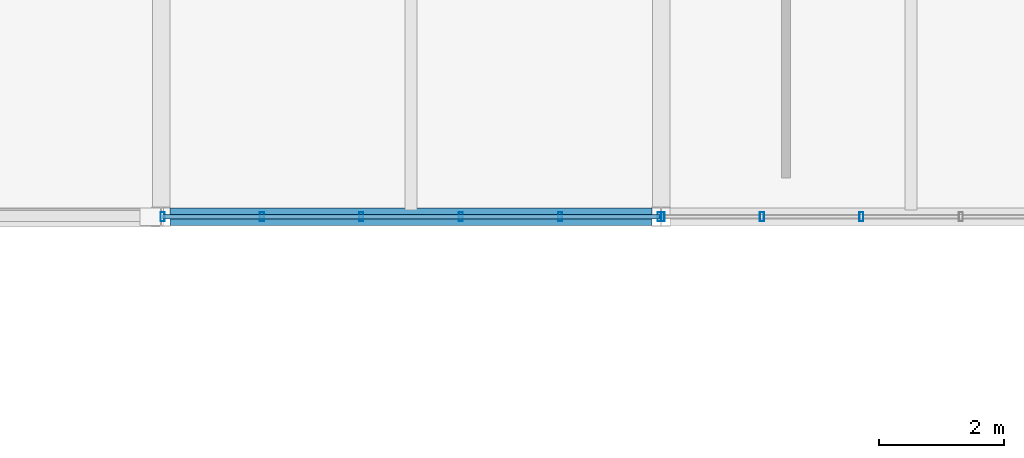
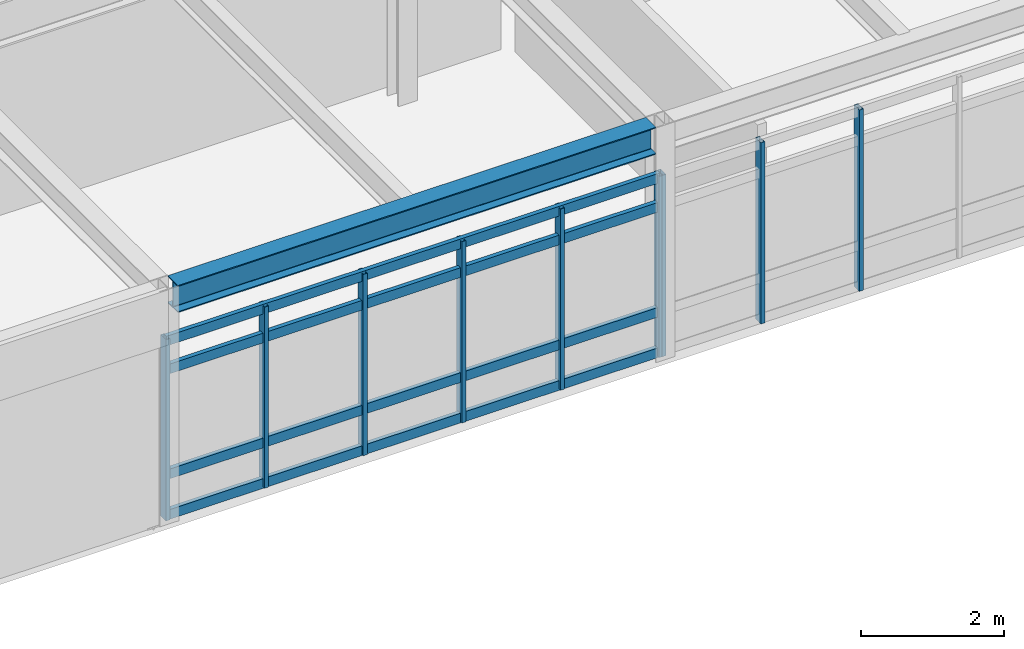
# One storey, part 21 of 45: 13 members, 1 beam, 2 elements without a shape of their own.
"""IFC4 building model written with IfcOpenShell, lengths in metres."""

from ifc_helpers import new_model, si_unit, direction, frame, origin, origin_2d, place, context, subcontext, project, spatial, hollow_rectangle, i_section, extrude, material, material_profile, profile_set, type_object, element, aggregate, save


model = new_model("IFC4")

# Units and contexts
model_context = context("Model", 3, precision=1e-05, world=origin(), true_north=direction((0.0, 1.0)))
body_context = subcontext(model_context, "Body", "Model", "MODEL_VIEW")
ifc_project = project(units=[si_unit("LENGTHUNIT", "METRE"), si_unit("AREAUNIT", "SQUARE_METRE"), si_unit("VOLUMEUNIT", "CUBIC_METRE"), si_unit("PLANEANGLEUNIT", "RADIAN"), si_unit("MASSUNIT", "GRAM", prefix="KILO")], contexts=[model_context])

# Site, building, storey
site_placement = place(None, origin())
site = spatial("IfcSite", under=ifc_project, at=site_placement, CompositionType="ELEMENT")
building_placement = place(site_placement, origin())
building = spatial("IfcBuilding", under=site, at=building_placement, Name="Zulena Civic Courthouse", CompositionType="ELEMENT")
storey_placement = place(building_placement, frame((0.0, 0.0, 29.39990234375)))
storey = spatial("IfcBuildingStorey", under=building, at=storey_placement, Name="L06", CompositionType="ELEMENT", Elevation=29.39990234375)

# Curtain wall, members
ifc_material_1 = material(Name="Double-silver low-E laminated solar-control glass", Category="glass")
curtain_wall_type = type_object("IfcCurtainWallType", Name="CW_7952x3090", PredefinedType="USERDEFINED", material=ifc_material_1)
curtain_wall_1_placement = place(storey_placement, origin())
curtain_wall_1 = element("IfcCurtainWall", 1, at=curtain_wall_1_placement, inside=storey, type_object=curtain_wall_type, Name="cw:V5:L06:5:5", ObjectType="UNITISED CURTAIN WALL", PredefinedType="USERDEFINED")
ifc_material_2 = material(Name="Bronze anodised thermally broken aluminium AA6063-T6", Category="aluminium")
ifc_material_profile_1 = material_profile(ifc_material_2, hollow_rectangle(XDim=0.06494140625, YDim=0.14990234375, WallThickness=0.00390625, at=origin_2d()), Name="CWM150X65X4")
ifc_profile_set_1 = profile_set([ifc_material_profile_1], Name="Bronze anodised thermally broken aluminium AA6063-T6")
member_type_1 = type_object("IfcMemberType", Name="CWMullion_150x65", PredefinedType="MULLION", material=ifc_profile_set_1)
member_1_placement = place(storey_placement, frame((55.204833984375, 46.0, 0.0), z_axis=(0.0, 0.0, 1.0), x_axis=(1.0, 0.0, 0.0)))
member_1 = element("IfcMember", 2, at=member_1_placement, type_object=member_type_1, Name="cw:V5:L06:5:5:mull:3", PredefinedType="MULLION", context=body_context, shape_type="SweptSolid", body=[
    extrude(hollow_rectangle(XDim=0.06494140625, YDim=0.14990234375, WallThickness=0.00390625, at=origin_2d()), origin(), (0.0, 0.0, 1.0), 3.090087890625),
])
member_2_placement = place(storey_placement, frame((53.614501953125, 46.0, 0.0), z_axis=(0.0, 0.0, 1.0), x_axis=(1.0, 0.0, 0.0)))
member_2 = element("IfcMember", 3, at=member_2_placement, type_object=member_type_1, Name="cw:V5:L06:5:5:mull:4", PredefinedType="MULLION", context=body_context, shape_type="SweptSolid", body=[
    extrude(hollow_rectangle(XDim=0.06494140625, YDim=0.14990234375, WallThickness=0.00390625, at=origin_2d()), origin(), (0.0, 0.0, 1.0), 3.090087890625),
])
member_3_placement = place(storey_placement, frame((52.02392578125, 46.0, 0.0), z_axis=(0.0, 0.0, 1.0), x_axis=(1.0, 0.0, 0.0)))
member_3 = element("IfcMember", 4, at=member_3_placement, type_object=member_type_1, Name="cw:V5:L06:5:5:mull:5", PredefinedType="MULLION", context=body_context, shape_type="SweptSolid", body=[
    extrude(hollow_rectangle(XDim=0.06494140625, YDim=0.14990234375, WallThickness=0.00390625, at=origin_2d()), origin(), (0.0, 0.0, 1.0), 3.090087890625),
])
aggregate(curtain_wall_1, [member_1, member_2, member_3])

curtain_wall_2_placement = place(storey_placement, origin())
curtain_wall_2 = element("IfcCurtainWall", 5, at=curtain_wall_2_placement, inside=storey, type_object=curtain_wall_type, Name="cw:V5:L06:5:6", ObjectType="UNITISED CURTAIN WALL", PredefinedType="USERDEFINED")
member_4_placement = place(storey_placement, frame((51.97607421875, 46.0, 0.0), z_axis=(0.0, 0.0, 1.0), x_axis=(1.0, 0.0, 0.0)))
member_4 = element("IfcMember", 6, at=member_4_placement, type_object=member_type_1, Name="cw:V5:L06:5:6:mull:0", PredefinedType="MULLION", context=body_context, shape_type="SweptSolid", body=[
    extrude(hollow_rectangle(XDim=0.06494140625, YDim=0.14990234375, WallThickness=0.00390625, at=origin_2d()), origin(), (0.0, 0.0, 1.0), 3.090087890625),
])
member_5_placement = place(storey_placement, frame((50.385498046875, 46.0, 0.0), z_axis=(0.0, 0.0, 1.0), x_axis=(1.0, 0.0, 0.0)))
member_5 = element("IfcMember", 7, at=member_5_placement, type_object=member_type_1, Name="cw:V5:L06:5:6:mull:1", PredefinedType="MULLION", context=body_context, shape_type="SweptSolid", body=[
    extrude(hollow_rectangle(XDim=0.06494140625, YDim=0.14990234375, WallThickness=0.00390625, at=origin_2d()), origin(), (0.0, 0.0, 1.0), 3.090087890625),
])
member_6_placement = place(storey_placement, frame((48.795166015625, 46.0, 0.0), z_axis=(0.0, 0.0, 1.0), x_axis=(1.0, 0.0, 0.0)))
member_6 = element("IfcMember", 8, at=member_6_placement, type_object=member_type_1, Name="cw:V5:L06:5:6:mull:2", PredefinedType="MULLION", context=body_context, shape_type="SweptSolid", body=[
    extrude(hollow_rectangle(XDim=0.06494140625, YDim=0.14990234375, WallThickness=0.00390625, at=origin_2d()), origin(), (0.0, 0.0, 1.0), 3.090087890625),
])
member_7_placement = place(storey_placement, frame((47.204833984375, 46.0, 0.0), z_axis=(0.0, 0.0, 1.0), x_axis=(1.0, 0.0, 0.0)))
member_7 = element("IfcMember", 9, at=member_7_placement, type_object=member_type_1, Name="cw:V5:L06:5:6:mull:3", PredefinedType="MULLION", context=body_context, shape_type="SweptSolid", body=[
    extrude(hollow_rectangle(XDim=0.06494140625, YDim=0.14990234375, WallThickness=0.00390625, at=origin_2d()), origin(), (0.0, 0.0, 1.0), 3.090087890625),
])
member_8_placement = place(storey_placement, frame((45.614501953125, 46.0, 0.0), z_axis=(0.0, 0.0, 1.0), x_axis=(1.0, 0.0, 0.0)))
member_8 = element("IfcMember", 10, at=member_8_placement, type_object=member_type_1, Name="cw:V5:L06:5:6:mull:4", PredefinedType="MULLION", context=body_context, shape_type="SweptSolid", body=[
    extrude(hollow_rectangle(XDim=0.06494140625, YDim=0.14990234375, WallThickness=0.00390625, at=origin_2d()), origin(), (0.0, 0.0, 1.0), 3.090087890625),
])
member_9_placement = place(storey_placement, frame((44.02392578125, 46.0, 0.0), z_axis=(0.0, 0.0, 1.0), x_axis=(1.0, 0.0, 0.0)))
member_9 = element("IfcMember", 11, at=member_9_placement, type_object=member_type_1, Name="cw:V5:L06:5:6:mull:5", PredefinedType="MULLION", context=body_context, shape_type="SweptSolid", body=[
    extrude(hollow_rectangle(XDim=0.06494140625, YDim=0.14990234375, WallThickness=0.00390625, at=origin_2d()), origin(), (0.0, 0.0, 1.0), 3.090087890625),
])
ifc_material_profile_2 = material_profile(ifc_material_2, hollow_rectangle(XDim=0.070068359375, YDim=0.1650390625, WallThickness=0.00390625, at=origin_2d()), Name="CWT165X70X4")
ifc_profile_set_2 = profile_set([ifc_material_profile_2], Name="Bronze anodised thermally broken aluminium AA6063-T6")
member_type_2 = type_object("IfcMemberType", Name="CWTransom_165x70", PredefinedType="USERDEFINED", material=ifc_profile_set_2)
member_10_placement = place(storey_placement, frame((51.97607421875, 46.0, 0.06005859375), z_axis=(-1.0, 0.0, 0.0), x_axis=(0.0, -1.0, 0.0)))
member_10 = element("IfcMember", 12, at=member_10_placement, type_object=member_type_2, Name="cw:V5:L06:5:6:tran:0", ObjectType="TRANSOM", PredefinedType="USERDEFINED", context=body_context, shape_type="SweptSolid", body=[
    extrude(hollow_rectangle(XDim=0.070068359375, YDim=0.1650390625, WallThickness=0.00390625, at=origin_2d()), origin(), (0.0, 0.0, 1.0), 7.9521484375),
])
member_11_placement = place(storey_placement, frame((51.97607421875, 46.0, 0.75), z_axis=(-1.0, 0.0, 0.0), x_axis=(0.0, -1.0, 0.0)))
member_11 = element("IfcMember", 13, at=member_11_placement, type_object=member_type_2, Name="cw:V5:L06:5:6:tran:1", ObjectType="TRANSOM", PredefinedType="USERDEFINED", context=body_context, shape_type="SweptSolid", body=[
    extrude(hollow_rectangle(XDim=0.070068359375, YDim=0.1650390625, WallThickness=0.00390625, at=origin_2d()), origin(), (0.0, 0.0, 1.0), 7.9521484375),
])
member_12_placement = place(storey_placement, frame((51.97607421875, 46.0, 2.5400390625), z_axis=(-1.0, 0.0, 0.0), x_axis=(0.0, -1.0, 0.0)))
member_12 = element("IfcMember", 14, at=member_12_placement, type_object=member_type_2, Name="cw:V5:L06:5:6:tran:2", ObjectType="TRANSOM", PredefinedType="USERDEFINED", context=body_context, shape_type="SweptSolid", body=[
    extrude(hollow_rectangle(XDim=0.070068359375, YDim=0.1650390625, WallThickness=0.00390625, at=origin_2d()), origin(), (0.0, 0.0, 1.0), 7.9521484375),
])
member_13_placement = place(storey_placement, frame((51.97607421875, 46.0, 3.030029296875), z_axis=(-1.0, 0.0, 0.0), x_axis=(0.0, -1.0, 0.0)))
member_13 = element("IfcMember", 15, at=member_13_placement, type_object=member_type_2, Name="cw:V5:L06:5:6:tran:3", ObjectType="TRANSOM", PredefinedType="USERDEFINED", context=body_context, shape_type="SweptSolid", body=[
    extrude(hollow_rectangle(XDim=0.070068359375, YDim=0.1650390625, WallThickness=0.00390625, at=origin_2d()), origin(), (0.0, 0.0, 1.0), 7.9521484375),
])
aggregate(curtain_wall_2, [member_4, member_5, member_6, member_7, member_8, member_9, member_10, member_11, member_12, member_13])

# Beam
ifc_material_3 = material(Name="Steel ASTM A992 Grade 50", Category="steel")
ifc_material_profile_3 = material_profile(ifc_material_3, i_section(OverallWidth=0.280029296875, OverallDepth=0.462890625, WebThickness=0.0107421875, FlangeThickness=0.017333984375, FilletRadius=0.01025390625, at=origin_2d()), Name="W18X76")
ifc_profile_set_3 = profile_set([ifc_material_profile_3], Name="Steel ASTM A992 Grade 50")
beam_type = type_object("IfcBeamType", Name="Spandrel_W18X76", PredefinedType="SPANDREL", material=ifc_profile_set_3)
beam_placement = place(storey_placement, frame((44.14501953125, 46.0, 3.7685546875), z_axis=(1.0, 0.0, 0.0), x_axis=(0.0, 1.0, 0.0)))
element("IfcBeam", 16, at=beam_placement, inside=storey, type_object=beam_type, Name="beam:X:V5:L06:46.0:44.0_52.0", PredefinedType="SPANDREL", context=body_context, shape_type="SweptSolid", body=[
    extrude(i_section(OverallWidth=0.280029296875, OverallDepth=0.462890625, WebThickness=0.0107421875, FlangeThickness=0.017333984375, FilletRadius=0.01025390625, at=origin_2d()), origin(), (0.0, 0.0, 1.0), 7.7099609375),
])

save(model, "model.ifc")
